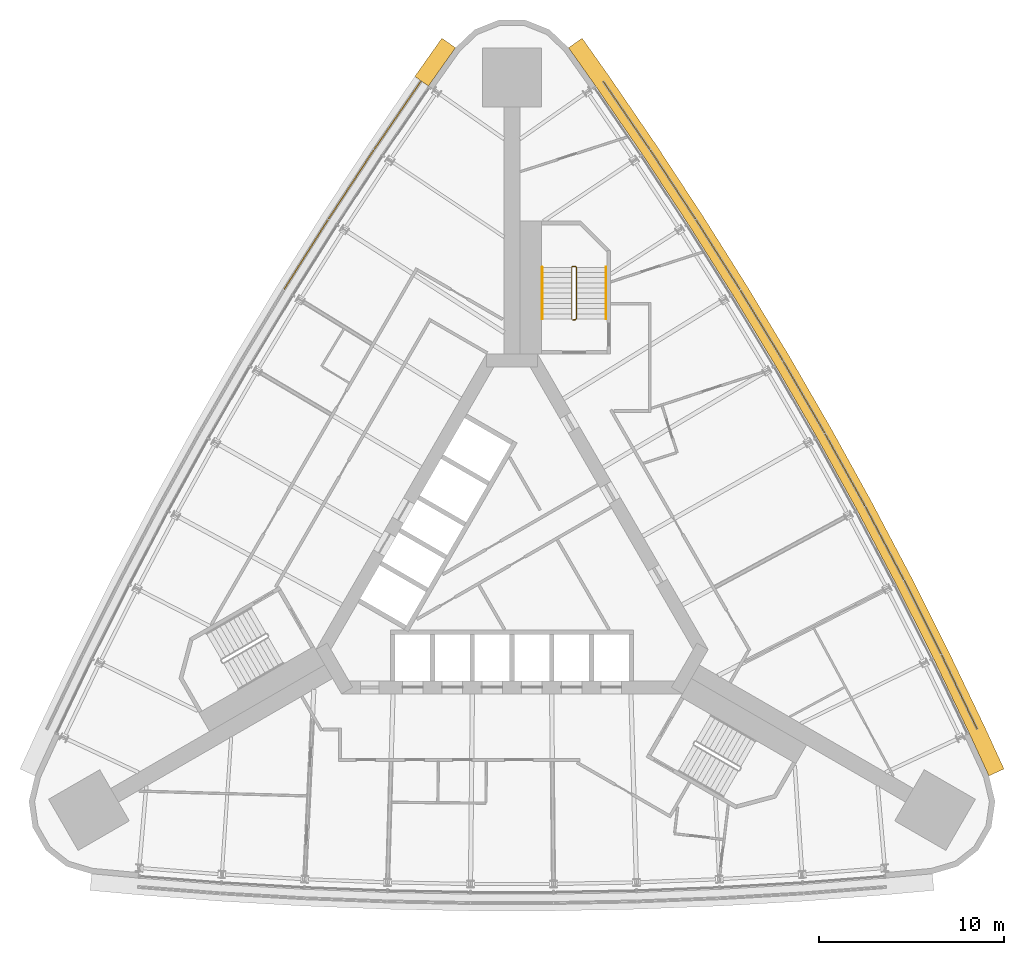
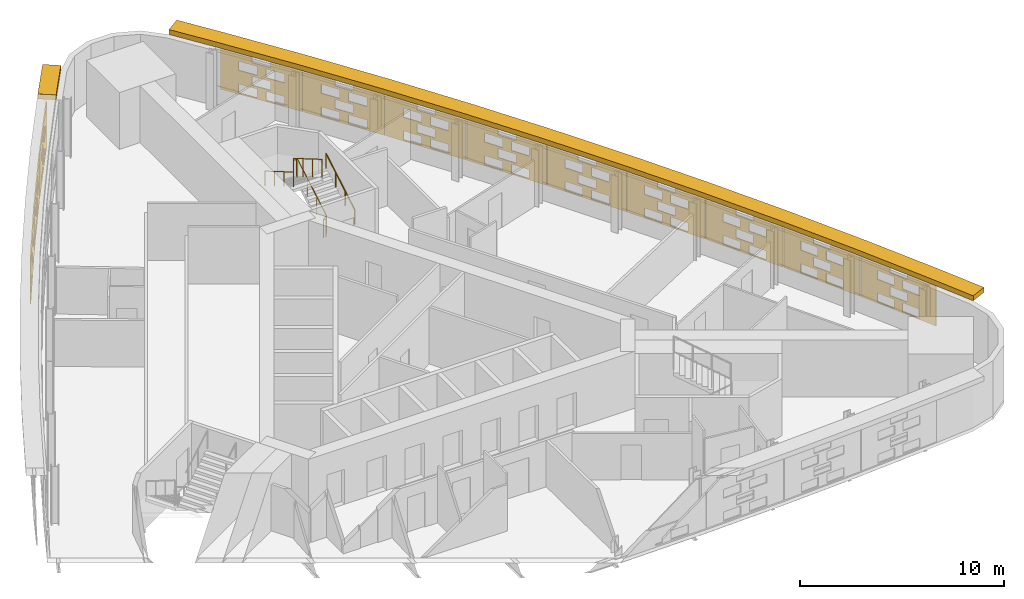
# One storey, part 14 of 14: 14 shading devices, 3 railings.
"""IFC4 building model written with IfcOpenShell, lengths in metres."""

from ifc_helpers import new_model, si_unit, direction, frame, origin, origin_2d, place, context, subcontext, project, spatial, polyline, circle, outline, extrude, material, material_profile, profile_set, type_object, element, save


model = new_model("IFC4")

# Units and contexts
model_context = context("Model", 3, precision=1e-05, world=origin(), true_north=direction((0.0, 1.0)))
body_context = subcontext(model_context, "Body", "Model", "MODEL_VIEW")
ifc_project = project(units=[si_unit("LENGTHUNIT", "METRE"), si_unit("AREAUNIT", "SQUARE_METRE"), si_unit("VOLUMEUNIT", "CUBIC_METRE"), si_unit("PLANEANGLEUNIT", "RADIAN"), si_unit("MASSUNIT", "GRAM", prefix="KILO")], contexts=[model_context])

# Site, building, storey
site_placement = place(None, origin())
site = spatial("IfcSite", under=ifc_project, at=site_placement, CompositionType="ELEMENT")
building_placement = place(site_placement, origin())
building = spatial("IfcBuilding", under=site, at=building_placement, Name="Noor Cloister Tower", CompositionType="ELEMENT")
storey_placement = place(building_placement, frame((0.0, 0.0, 76.199951171875)))
storey = spatial("IfcBuildingStorey", under=building, at=storey_placement, Name="L19", CompositionType="ELEMENT", Elevation=76.199951171875)

# Shading devices
ifc_material_1 = material(Name="Limestone", Category="masonry")
ifc_material_profile = material_profile(ifc_material_1, outline(polyline([(-2.22998046875, -1.35009765625), (2.22998046875, -1.35009765625), (2.22998046875, 1.35009765625), (-2.22998046875, 1.35009765625), (-2.22998046875, -1.35009765625)]), holes=[polyline([(-1.25, -1.282470703125), (-0.25, -1.282470703125), (-0.25, -0.742431640625), (-1.25, -0.742431640625), (-1.25, -1.282470703125)]), polyline([(0.25, -1.282470703125), (1.25, -1.282470703125), (1.25, -0.742431640625), (0.25, -0.742431640625), (0.25, -1.282470703125)]), polyline([(-0.5, -0.607421875), (0.5, -0.607421875), (0.5, -0.0673828125), (-0.5, -0.0673828125), (-0.5, -0.607421875)]), polyline([(-1.25, 0.0673828125), (-0.25, 0.0673828125), (-0.25, 0.607421875), (-1.25, 0.607421875), (-1.25, 0.0673828125)]), polyline([(0.25, 0.0673828125), (1.25, 0.0673828125), (1.25, 0.607421875), (0.25, 0.607421875), (0.25, 0.0673828125)]), polyline([(-0.5, 0.742431640625), (0.5, 0.742431640625), (0.5, 1.282470703125), (-0.5, 1.282470703125), (-0.5, 0.742431640625)])]), Name="Woven screen 28 percent open")
ifc_profile_set = profile_set([ifc_material_profile], Name="Limestone")
shading_device_type_1 = type_object("IfcShadingDeviceType", Name="SCREEN woven limestone 28 percent open", PredefinedType="USERDEFINED", material=ifc_profile_set)
for number, where, z_axis, x_axis, name in (
    (1, (-6.167236328125, 24.36376953125, 1.85009765625), (-0.825107815773, 0.564975302426, 0.0), (-0.564975302426, -0.825107815773, 0.0), "SCREEN L19 1"),
    (2, (-8.6796875, 20.620361328125, 1.85009765625), (-0.836396944636, 0.548124211291, 0.0), (-0.548124211291, -0.836396944636, 0.0), "SCREEN L19 2"),
    (3, (-11.11962890625, 16.8291015625, 1.85009765625), (-0.846164898331, 0.53292116193, 0.0), (-0.53292116193, -0.846164898331, 0.0), "SCREEN L19 3"),
):
    element("IfcShadingDevice", number, at=place(storey_placement, frame(where, z_axis=z_axis, x_axis=x_axis)), inside=storey, type_object=shading_device_type_1, Name=name, ObjectType="SCREEN", PredefinedType="USERDEFINED", context=body_context, shape_type="SweptSolid", body=[
        extrude(outline(polyline([(-2.22998046875, -1.35009765625), (2.22998046875, -1.35009765625), (2.22998046875, 1.35009765625), (-2.22998046875, 1.35009765625), (-2.22998046875, -1.35009765625)]), holes=[polyline([(-1.25, -1.282470703125), (-0.25, -1.282470703125), (-0.25, -0.742431640625), (-1.25, -0.742431640625), (-1.25, -1.282470703125)]), polyline([(0.25, -1.282470703125), (1.25, -1.282470703125), (1.25, -0.742431640625), (0.25, -0.742431640625), (0.25, -1.282470703125)]), polyline([(-0.5, -0.607421875), (0.5, -0.607421875), (0.5, -0.0673828125), (-0.5, -0.0673828125), (-0.5, -0.607421875)]), polyline([(-1.25, 0.0673828125), (-0.25, 0.0673828125), (-0.25, 0.607421875), (-1.25, 0.607421875), (-1.25, 0.0673828125)]), polyline([(0.25, 0.0673828125), (1.25, 0.0673828125), (1.25, 0.607421875), (0.25, 0.607421875), (0.25, 0.0673828125)]), polyline([(-0.5, 0.742431640625), (0.5, 0.742431640625), (0.5, 1.282470703125), (-0.5, 1.282470703125), (-0.5, 0.742431640625)])]), origin(), (0.0, 0.0, 1.0), 0.06005859375),
    ])
shading_device_1_placement = place(storey_placement, frame((24.183349609375, -6.8408203125, 1.85009765625), z_axis=(0.901650348454, 0.432465777991, 0.0), x_axis=(-0.432465777991, 0.901650348454, 0.0)))
element("IfcShadingDevice", 4, at=shading_device_1_placement, inside=storey, type_object=shading_device_type_1, Name="SCREEN L19 1", ObjectType="SCREEN", PredefinedType="USERDEFINED", context=body_context, shape_type="SweptSolid", body=[
    extrude(outline(polyline([(-2.22998046875, -1.35009765625), (2.22998046875, -1.35009765625), (2.22998046875, 1.35009765625), (-2.22998046875, 1.35009765625), (-2.22998046875, -1.35009765625)]), holes=[polyline([(-1.25, -1.282470703125), (-0.25, -1.282470703125), (-0.25, -0.742431640625), (-1.25, -0.742431640625), (-1.25, -1.282470703125)]), polyline([(0.25, -1.282470703125), (1.25, -1.282470703125), (1.25, -0.742431640625), (0.25, -0.742431640625), (0.25, -1.282470703125)]), polyline([(-0.5, -0.607421875), (0.5, -0.607421875), (0.5, -0.0673828125), (-0.5, -0.0673828125), (-0.5, -0.607421875)]), polyline([(-1.25, 0.0673828125), (-0.25, 0.0673828125), (-0.25, 0.607421875), (-1.25, 0.607421875), (-1.25, 0.0673828125)]), polyline([(0.25, 0.0673828125), (1.25, 0.0673828125), (1.25, 0.607421875), (0.25, 0.607421875), (0.25, 0.0673828125)]), polyline([(-0.5, 0.742431640625), (0.5, 0.742431640625), (0.5, 1.282470703125), (-0.5, 1.282470703125), (-0.5, 0.742431640625)])]), origin(), (0.0, 0.0, 1.0), 0.059814453125),
])
shading_device_2_placement = place(storey_placement, frame((22.197509765625, -2.793212890625, 1.85009765625), z_axis=(0.894427191, 0.4472135955, 0.0), x_axis=(-0.4472135955, 0.894427191, 0.0)))
element("IfcShadingDevice", 5, at=shading_device_2_placement, inside=storey, type_object=shading_device_type_1, Name="SCREEN L19 2", ObjectType="SCREEN", PredefinedType="USERDEFINED", context=body_context, shape_type="SweptSolid", body=[
    extrude(outline(polyline([(-2.22998046875, -1.35009765625), (2.22998046875, -1.35009765625), (2.22998046875, 1.35009765625), (-2.22998046875, 1.35009765625), (-2.22998046875, -1.35009765625)]), holes=[polyline([(-1.25, -1.282470703125), (-0.25, -1.282470703125), (-0.25, -0.742431640625), (-1.25, -0.742431640625), (-1.25, -1.282470703125)]), polyline([(0.25, -1.282470703125), (1.25, -1.282470703125), (1.25, -0.742431640625), (0.25, -0.742431640625), (0.25, -1.282470703125)]), polyline([(-0.5, -0.607421875), (0.5, -0.607421875), (0.5, -0.0673828125), (-0.5, -0.0673828125), (-0.5, -0.607421875)]), polyline([(-1.25, 0.0673828125), (-0.25, 0.0673828125), (-0.25, 0.607421875), (-1.25, 0.607421875), (-1.25, 0.0673828125)]), polyline([(0.25, 0.0673828125), (1.25, 0.0673828125), (1.25, 0.607421875), (0.25, 0.607421875), (0.25, 0.0673828125)]), polyline([(-0.5, 0.742431640625), (0.5, 0.742431640625), (0.5, 1.282470703125), (-0.5, 1.282470703125), (-0.5, 0.742431640625)])]), origin(), (0.0, 0.0, 1.0), 0.06005859375),
])
shading_device_3_placement = place(storey_placement, frame((20.13427734375, 1.21533203125, 1.85009765625), z_axis=(0.885271944608, 0.465073740486, 0.0), x_axis=(-0.465073740486, 0.885271944608, 0.0)))
element("IfcShadingDevice", 6, at=shading_device_3_placement, inside=storey, type_object=shading_device_type_1, Name="SCREEN L19 3", ObjectType="SCREEN", PredefinedType="USERDEFINED", context=body_context, shape_type="SweptSolid", body=[
    extrude(outline(polyline([(-2.22998046875, -1.35009765625), (2.22998046875, -1.35009765625), (2.22998046875, 1.35009765625), (-2.22998046875, 1.35009765625), (-2.22998046875, -1.35009765625)]), holes=[polyline([(-1.25, -1.282470703125), (-0.25, -1.282470703125), (-0.25, -0.742431640625), (-1.25, -0.742431640625), (-1.25, -1.282470703125)]), polyline([(0.25, -1.282470703125), (1.25, -1.282470703125), (1.25, -0.742431640625), (0.25, -0.742431640625), (0.25, -1.282470703125)]), polyline([(-0.5, -0.607421875), (0.5, -0.607421875), (0.5, -0.0673828125), (-0.5, -0.0673828125), (-0.5, -0.607421875)]), polyline([(-1.25, 0.0673828125), (-0.25, 0.0673828125), (-0.25, 0.607421875), (-1.25, 0.607421875), (-1.25, 0.0673828125)]), polyline([(0.25, 0.0673828125), (1.25, 0.0673828125), (1.25, 0.607421875), (0.25, 0.607421875), (0.25, 0.0673828125)]), polyline([(-0.5, 0.742431640625), (0.5, 0.742431640625), (0.5, 1.282470703125), (-0.5, 1.282470703125), (-0.5, 0.742431640625)])]), origin(), (0.0, 0.0, 1.0), 0.059814453125),
])
for number, where, z_axis, x_axis, name in (
    (7, (17.993896484375, 5.18310546875, 1.85009765625), (0.874923997532, 0.484260259099, 0.0), (-0.484260259099, 0.874923997532, 0.0), "SCREEN L19 4"),
    (8, (15.777587890625, 9.109130859375, 1.85009765625), (0.865982457891, 0.500074377092, 0.0), (-0.500074377092, 0.865982457891, 0.0), "SCREEN L19 5"),
):
    element("IfcShadingDevice", number, at=place(storey_placement, frame(where, z_axis=z_axis, x_axis=x_axis)), inside=storey, type_object=shading_device_type_1, Name=name, ObjectType="SCREEN", PredefinedType="USERDEFINED", context=body_context, shape_type="SweptSolid", body=[
        extrude(outline(polyline([(-2.22998046875, -1.35009765625), (2.22998046875, -1.35009765625), (2.22998046875, 1.35009765625), (-2.22998046875, 1.35009765625), (-2.22998046875, -1.35009765625)]), holes=[polyline([(-1.25, -1.282470703125), (-0.25, -1.282470703125), (-0.25, -0.742431640625), (-1.25, -0.742431640625), (-1.25, -1.282470703125)]), polyline([(0.25, -1.282470703125), (1.25, -1.282470703125), (1.25, -0.742431640625), (0.25, -0.742431640625), (0.25, -1.282470703125)]), polyline([(-0.5, -0.607421875), (0.5, -0.607421875), (0.5, -0.0673828125), (-0.5, -0.0673828125), (-0.5, -0.607421875)]), polyline([(-1.25, 0.0673828125), (-0.25, 0.0673828125), (-0.25, 0.607421875), (-1.25, 0.607421875), (-1.25, 0.0673828125)]), polyline([(0.25, 0.0673828125), (1.25, 0.0673828125), (1.25, 0.607421875), (0.25, 0.607421875), (0.25, 0.0673828125)]), polyline([(-0.5, 0.742431640625), (0.5, 0.742431640625), (0.5, 1.282470703125), (-0.5, 1.282470703125), (-0.5, 0.742431640625)])]), origin(), (0.0, 0.0, 1.0), 0.06005859375),
    ])
shading_device_4_placement = place(storey_placement, frame((13.48583984375, 12.99169921875, 1.85009765625), z_axis=(0.855690023312, 0.517488728384, 0.0), x_axis=(-0.517488728384, 0.855690023312, 0.0)))
element("IfcShadingDevice", 9, at=shading_device_4_placement, inside=storey, type_object=shading_device_type_1, Name="SCREEN L19 6", ObjectType="SCREEN", PredefinedType="USERDEFINED", context=body_context, shape_type="SweptSolid", body=[
    extrude(outline(polyline([(-2.22998046875, -1.35009765625), (2.22998046875, -1.35009765625), (2.22998046875, 1.35009765625), (-2.22998046875, 1.35009765625), (-2.22998046875, -1.35009765625)]), holes=[polyline([(-1.25, -1.282470703125), (-0.25, -1.282470703125), (-0.25, -0.742431640625), (-1.25, -0.742431640625), (-1.25, -1.282470703125)]), polyline([(0.25, -1.282470703125), (1.25, -1.282470703125), (1.25, -0.742431640625), (0.25, -0.742431640625), (0.25, -1.282470703125)]), polyline([(-0.5, -0.607421875), (0.5, -0.607421875), (0.5, -0.0673828125), (-0.5, -0.0673828125), (-0.5, -0.607421875)]), polyline([(-1.25, 0.0673828125), (-0.25, 0.0673828125), (-0.25, 0.607421875), (-1.25, 0.607421875), (-1.25, 0.0673828125)]), polyline([(0.25, 0.0673828125), (1.25, 0.0673828125), (1.25, 0.607421875), (0.25, 0.607421875), (0.25, 0.0673828125)]), polyline([(-0.5, 0.742431640625), (0.5, 0.742431640625), (0.5, 1.282470703125), (-0.5, 1.282470703125), (-0.5, 0.742431640625)])]), origin(), (0.0, 0.0, 1.0), 0.059814453125),
])
for number, where, z_axis, x_axis, name in (
    (10, (11.11962890625, 16.8291015625, 1.85009765625), (0.846164898331, 0.53292116193, 0.0), (-0.53292116193, 0.846164898331, 0.0), "SCREEN L19 7"),
    (11, (8.6796875, 20.620361328125, 1.85009765625), (0.836396944636, 0.548124211291, 0.0), (-0.548124211291, 0.836396944636, 0.0), "SCREEN L19 8"),
    (12, (6.167236328125, 24.36376953125, 1.85009765625), (0.825107815773, 0.564975302426, 0.0), (-0.564975302426, 0.825107815773, 0.0), "SCREEN L19 9"),
):
    element("IfcShadingDevice", number, at=place(storey_placement, frame(where, z_axis=z_axis, x_axis=x_axis)), inside=storey, type_object=shading_device_type_1, Name=name, ObjectType="SCREEN", PredefinedType="USERDEFINED", context=body_context, shape_type="SweptSolid", body=[
        extrude(outline(polyline([(-2.22998046875, -1.35009765625), (2.22998046875, -1.35009765625), (2.22998046875, 1.35009765625), (-2.22998046875, 1.35009765625), (-2.22998046875, -1.35009765625)]), holes=[polyline([(-1.25, -1.282470703125), (-0.25, -1.282470703125), (-0.25, -0.742431640625), (-1.25, -0.742431640625), (-1.25, -1.282470703125)]), polyline([(0.25, -1.282470703125), (1.25, -1.282470703125), (1.25, -0.742431640625), (0.25, -0.742431640625), (0.25, -1.282470703125)]), polyline([(-0.5, -0.607421875), (0.5, -0.607421875), (0.5, -0.0673828125), (-0.5, -0.0673828125), (-0.5, -0.607421875)]), polyline([(-1.25, 0.0673828125), (-0.25, 0.0673828125), (-0.25, 0.607421875), (-1.25, 0.607421875), (-1.25, 0.0673828125)]), polyline([(0.25, 0.0673828125), (1.25, 0.0673828125), (1.25, 0.607421875), (0.25, 0.607421875), (0.25, 0.0673828125)]), polyline([(-0.5, 0.742431640625), (0.5, 0.742431640625), (0.5, 1.282470703125), (-0.5, 1.282470703125), (-0.5, 0.742431640625)])]), origin(), (0.0, 0.0, 1.0), 0.06005859375),
    ])
ifc_material_2 = material(Name="Limestone", Category="masonry")
shading_device_type_2 = type_object("IfcShadingDeviceType", Name="SUNSHADE limestone band 900", PredefinedType="USERDEFINED", material=ifc_material_2)
shading_device_5_placement = place(storey_placement, frame((0.0, 0.0, 3.300048828125)))
element("IfcShadingDevice", 13, at=shading_device_5_placement, inside=storey, type_object=shading_device_type_2, Name="SUNSHADE L19 3", ObjectType="SUNSHADE", PredefinedType="USERDEFINED", context=body_context, shape_type="SweptSolid", body=[
    extrude(outline(polyline([(26.626708984375, -10.992431640625), (25.5634765625, -8.68212890625), (23.614013671875, -4.609375), (21.58544921875, -0.572998046875), (19.479248046875, 3.423095703125), (17.296630859375, 7.378173828125), (15.037841796875, 11.290283203125), (12.704345703125, 15.157958984375), (10.29638671875, 18.97998046875), (7.815185546875, 22.7548828125), (5.2626953125, 26.479736328125), (3.793701171875, 28.5556640625), (3.05908203125, 28.035888671875), (4.524169921875, 25.96533203125), (7.06787109375, 22.25341796875), (9.53955078125, 18.492919921875), (11.938232421875, 14.685546875), (14.262939453125, 10.832763671875), (16.5126953125, 6.935546875), (18.687255859375, 2.995849609375), (20.78515625, -0.985107421875), (22.805908203125, -5.005615234375), (24.748779296875, -9.064697265625), (25.809326171875, -11.36865234375), (26.626708984375, -10.992431640625)])), origin(), (0.0, 0.0, 1.0), 0.300048828125),
])
shading_device_6_placement = place(storey_placement, frame((0.0, 0.0, 3.300048828125)))
element("IfcShadingDevice", 14, at=shading_device_6_placement, inside=storey, type_object=shading_device_type_2, Name="SUNSHADE L19 4", ObjectType="SUNSHADE", PredefinedType="USERDEFINED", context=body_context, shape_type="SweptSolid", body=[
    extrude(outline(polyline([(-3.793701171875, 28.5556640625), (-5.2587890625, 26.4853515625), (-4.524169921875, 25.96533203125), (-3.05908203125, 28.035888671875), (-3.793701171875, 28.5556640625)])), origin(), (0.0, 0.0, 1.0), 0.300048828125),
])

# Railings
ifc_material_3 = material(Name="Stainless steel", Category="steel")
railing_type_1 = type_object("IfcRailingType", Name="Stair guard 1100", PredefinedType="GUARDRAIL", material=ifc_material_3)
railing_1_placement = place(storey_placement, frame((3.435546875, 13.306396484375, 0.0)))
element("IfcRailing", 15, at=railing_1_placement, inside=storey, type_object=railing_type_1, Name="Stair guard ST1 L19", PredefinedType="GUARDRAIL", context=body_context, shape_type="SweptSolid", body=[
    extrude(circle(Radius=0.02392578125, at=origin_2d()), frame((0.0, 0.0, 1.076171875), z_axis=(-1.0, 0.0, 0.0), x_axis=(0.0, -1.0, 0.0)), (0.0, 0.0, 1.0), 0.14990234375),
    extrude(circle(Radius=0.02392578125, at=origin_2d()), frame((-0.14990234375, 0.0, 1.076171875), z_axis=(0.759870394187, 0.190199549216, 0.621627795), x_axis=(-0.242814311512, 0.970072785993, 0.0)), (0.0, 0.0, 1.0), 0.26318359375),
    extrude(circle(Radius=0.02392578125, at=origin_2d()), frame((0.050048828125, 0.050048828125, 1.23974609375), z_axis=(0.0, 0.863360870873, 0.504586966384), x_axis=(-1.0, 0.0, 0.0)), (0.0, 0.0, 1.0), 3.2431640625),
    extrude(circle(Radius=0.02392578125, at=origin_2d()), frame((0.050048828125, 2.85009765625, 2.8759765625), z_axis=(-0.708833529934, 0.705375805398, 0.0), x_axis=(-0.705375805398, -0.708833529934, 0.0)), (0.0, 0.0, 1.0), 0.070556640625),
    extrude(circle(Radius=0.02392578125, at=origin_2d()), frame((0.0, 2.89990234375, 2.8759765625), z_axis=(-1.0, 0.0, 0.0), x_axis=(0.0, -1.0, 0.0)), (0.0, 0.0, 1.0), 0.14990234375),
    extrude(circle(Radius=0.02392578125, at=origin_2d()), frame((-0.14990234375, 2.89990234375, 2.8759765625), z_axis=(-0.280916556609, -0.279546231943, 0.91811752648), x_axis=(0.705375805398, -0.708833529934, 0.0)), (0.0, 0.0, 1.0), 0.17822265625),
    extrude(circle(Radius=0.02392578125, at=origin_2d()), frame((-0.199951171875, 2.85009765625, 3.03955078125), z_axis=(0.0, -0.863360870873, 0.504586966384), x_axis=(1.0, 0.0, 0.0)), (0.0, 0.0, 1.0), 3.2431640625),
    extrude(circle(Radius=0.02099609375, at=origin_2d()), origin(), (0.0, 0.0, 1.0), 1.052001953125),
    extrude(circle(Radius=0.02099609375, at=origin_2d()), frame((-0.14990234375, 0.0, 0.0)), (0.0, 0.0, 1.0), 1.052001953125),
    extrude(circle(Radius=0.02099609375, at=origin_2d()), frame((0.050048828125, 0.050048828125, 0.16357421875)), (0.0, 0.0, 1.0), 1.052001953125),
    extrude(circle(Radius=0.02099609375, at=origin_2d()), frame((0.050048828125, 0.9833984375, 0.708984375)), (0.0, 0.0, 1.0), 1.052001953125),
    extrude(circle(Radius=0.02099609375, at=origin_2d()), frame((0.050048828125, 1.916748046875, 1.254638671875)), (0.0, 0.0, 1.0), 1.052001953125),
    extrude(circle(Radius=0.02099609375, at=origin_2d()), frame((0.050048828125, 2.85009765625, 1.800048828125)), (0.0, 0.0, 1.0), 1.052001953125),
    extrude(circle(Radius=0.02099609375, at=origin_2d()), frame((0.0, 2.89990234375, 1.800048828125)), (0.0, 0.0, 1.0), 1.052001953125),
    extrude(circle(Radius=0.02099609375, at=origin_2d()), frame((-0.14990234375, 2.89990234375, 1.800048828125)), (0.0, 0.0, 1.0), 1.052001953125),
    extrude(circle(Radius=0.02099609375, at=origin_2d()), frame((-0.199951171875, 2.85009765625, 1.963623046875)), (0.0, 0.0, 1.0), 1.052001953125),
    extrude(circle(Radius=0.02099609375, at=origin_2d()), frame((-0.199951171875, 1.916748046875, 2.509033203125)), (0.0, 0.0, 1.0), 1.052001953125),
    extrude(circle(Radius=0.02099609375, at=origin_2d()), frame((-0.199951171875, 0.9833984375, 3.0546875)), (0.0, 0.0, 1.0), 1.052001953125),
    extrude(circle(Radius=0.02099609375, at=origin_2d()), frame((-0.199951171875, 0.050048828125, 3.60009765625)), (0.0, 0.0, 1.0), 1.052001953125),
])
ifc_material_4 = material(Name="Stainless steel", Category="steel")
railing_type_2 = type_object("IfcRailingType", Name="Stair handrail 900", PredefinedType="HANDRAIL", material=ifc_material_4)
railing_2_placement = place(storey_placement, frame((5.085693359375, 13.3564453125, 0.16357421875)))
element("IfcRailing", 16, at=railing_2_placement, inside=storey, type_object=railing_type_2, Name="Stair handrail ST1 L19 1", PredefinedType="HANDRAIL", context=body_context, shape_type="SweptSolid", body=[
    extrude(circle(Radius=0.02392578125, at=origin_2d()), frame((0.0, 0.0, 0.8759765625), z_axis=(0.0, 0.863360870873, 0.504586966384), x_axis=(-1.0, 0.0, 0.0)), (0.0, 0.0, 1.0), 3.2431640625),
    extrude(circle(Radius=0.02099609375, at=origin_2d()), origin(), (0.0, 0.0, 1.0), 0.851806640625),
    extrude(circle(Radius=0.02099609375, at=origin_2d()), frame((0.0, 0.933349609375, 0.54541015625)), (0.0, 0.0, 1.0), 0.851806640625),
    extrude(circle(Radius=0.02099609375, at=origin_2d()), frame((0.0, 1.86669921875, 1.091064453125)), (0.0, 0.0, 1.0), 0.851806640625),
    extrude(circle(Radius=0.02099609375, at=origin_2d()), frame((0.0, 2.800048828125, 1.636474609375)), (0.0, 0.0, 1.0), 0.851806640625),
])
railing_3_placement = place(storey_placement, frame((1.6357421875, 16.156494140625, 1.963623046875)))
element("IfcRailing", 17, at=railing_3_placement, inside=storey, type_object=railing_type_2, Name="Stair handrail ST1 L19 2", PredefinedType="HANDRAIL", context=body_context, shape_type="SweptSolid", body=[
    extrude(circle(Radius=0.02392578125, at=origin_2d()), frame((0.0, 0.0, 0.8759765625), z_axis=(0.0, -0.863360870873, 0.504586966384), x_axis=(1.0, 0.0, 0.0)), (0.0, 0.0, 1.0), 3.2431640625),
    extrude(circle(Radius=0.02099609375, at=origin_2d()), origin(), (0.0, 0.0, 1.0), 0.851806640625),
    extrude(circle(Radius=0.02099609375, at=origin_2d()), frame((0.0, -0.933349609375, 0.54541015625)), (0.0, 0.0, 1.0), 0.851806640625),
    extrude(circle(Radius=0.02099609375, at=origin_2d()), frame((0.0, -1.86669921875, 1.091064453125)), (0.0, 0.0, 1.0), 0.851806640625),
    extrude(circle(Radius=0.02099609375, at=origin_2d()), frame((0.0, -2.800048828125, 1.636474609375)), (0.0, 0.0, 1.0), 0.851806640625),
])

save(model, "model.ifc")
